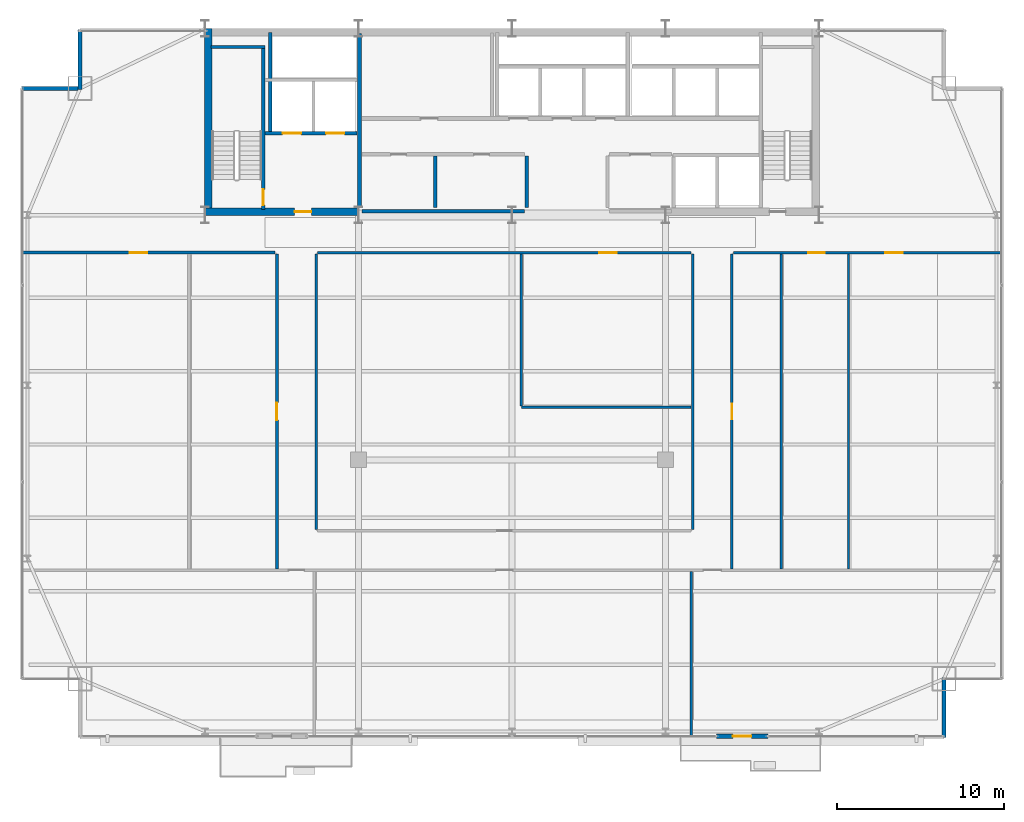
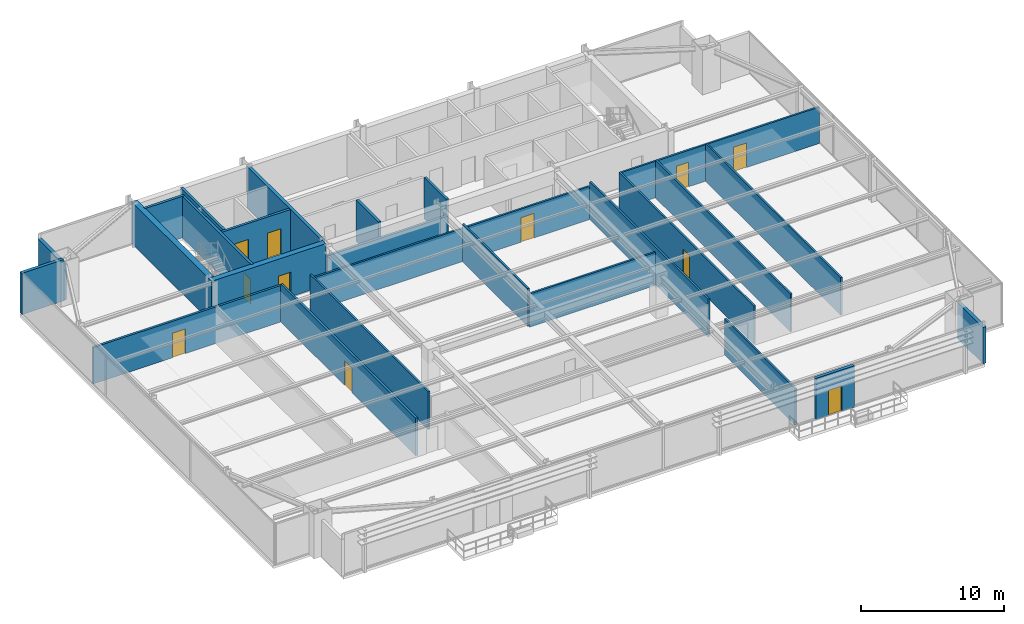
# One storey, part 28 of 32: 26 walls, 11 doors, 11 openings.
"""IFC4 building model written with IfcOpenShell, lengths in metres."""

from ifc_helpers import new_model, si_unit, direction, frame, frame_2d, origin, place, context, subcontext, project, spatial, rectangle, extrude, source, transform, mapped, material, layer, layer_set, type_object, type_shapes, element, fill, save


model = new_model("IFC4")

# Units and contexts
model_context = context("Model", 3, precision=1e-05, world=origin(), true_north=direction((0.0, 1.0)))
body_context = subcontext(model_context, "Body", "Model", "MODEL_VIEW")
ifc_project = project(units=[si_unit("LENGTHUNIT", "METRE"), si_unit("AREAUNIT", "SQUARE_METRE"), si_unit("VOLUMEUNIT", "CUBIC_METRE"), si_unit("PLANEANGLEUNIT", "RADIAN"), si_unit("MASSUNIT", "GRAM", prefix="KILO")], contexts=[model_context])

# Site, building, storey
site_placement = place(None, origin())
site = spatial("IfcSite", under=ifc_project, at=site_placement, CompositionType="ELEMENT")
building_placement = place(site_placement, origin())
building = spatial("IfcBuilding", under=site, at=building_placement, Name="Varnel Quay Broadcast Tower", CompositionType="ELEMENT")
storey_placement = place(building_placement, frame((0.0, 0.0, 133.39990234375)))
storey = spatial("IfcBuildingStorey", under=building, at=storey_placement, Name="L32", CompositionType="ELEMENT", Elevation=133.39990234375)

# Wall, opening, door
ifc_material_1 = material(Name="Concrete CSA A23.3 C50/60", Category="concrete")
ifc_layer_1 = layer(ifc_material_1, 0.199951171875, Name="Concrete CSA A23.3 C50/60")
ifc_layer_set_1 = layer_set([ifc_layer_1], Name="Concrete CSA A23.3 C50/60")
wall_type_1 = type_object("IfcWallType", Name="Wall_CoreShaftShear200", PredefinedType="SHEAR", material=ifc_layer_set_1)
wall_1_placement = place(storey_placement, frame((19.080078125, 35.949951171875, 0.0), z_axis=(0.0, 0.0, 1.0), x_axis=(0.0, 1.0, 0.0)))
wall_1 = element("IfcWall", 1, at=wall_1_placement, inside=storey, type_object=wall_type_1, Name="L32 Stair 1 East Structural Wall", PredefinedType="SHEAR", context=body_context, shape_type="SweptSolid", body=[
    extrude(rectangle(XDim=9.650146484375, YDim=0.199951171875, at=frame_2d((4.8251953125, 0.0))), origin(), (0.0, 0.0, 1.0), 3.550048828125),
])
opening_1_placement = place(wall_1_placement, frame((0.25, 0.0, 0.0)))
opening_1 = element("IfcOpeningElement", 2, at=opening_1_placement, cuts=wall_1, Name="Opening D-L32-S1", PredefinedType="OPENING", context=body_context, shape_type="SweptSolid", body=[
    extrude(rectangle(XDim=0.949951171875, YDim=2.10009765625, at=frame_2d((0.47509765625, 1.050048828125))), frame((0.0, 0.10986328125, 0.0), z_axis=(0.0, -1.0, 0.0), x_axis=(1.0, 0.0, 0.0)), (0.0, 0.0, 1.0), 0.219970703125),
])
ifc_material_2 = material(Name="Insulated Fire-Rated Hollow Steel Door", Category="steel")
door_type_1 = type_object("IfcDoorType", Name="Door_FireStair950", OperationType="NOTDEFINED", PredefinedType="DOOR", material=ifc_material_2)
shared_shape_1 = source(origin(), body_context, "Body", "SweptSolid", [
    extrude(rectangle(XDim=0.949951171875, YDim=2.10009765625, at=frame_2d((0.47509765625, 1.050048828125))), frame((0.0, 0.02490234375, 0.0), z_axis=(0.0, -1.0, 0.0), x_axis=(1.0, 0.0, 0.0)), (0.0, 0.0, 1.0), 0.050048828125),
])
type_shapes(door_type_1, [shared_shape_1])
door_1_placement = place(opening_1_placement, origin())
door_1 = element("IfcDoor", 3, at=door_1_placement, inside=storey, type_object=door_type_1, Name="L32 Stair 1 Fire Door", OperationType="SINGLE_SWING_LEFT", OverallHeight=2.10009765625, OverallWidth=0.949951171875, PredefinedType="DOOR", context=body_context, shape_type="MappedRepresentation", body=[
    mapped(shared_shape_1, transform((0.0, 0.0, 0.0), x_axis=(1.0, 0.0, 0.0), y_axis=(0.0, 1.0, 0.0), z_axis=(0.0, 0.0, 1.0), scale=1.0)),
])
fill(opening_1, door_1)

# Wall
wall_2_placement = place(storey_placement, frame((15.949951171875, 45.679931640625, 0.0), z_axis=(0.0, 0.0, 1.0), x_axis=(1.0, 0.0, 0.0)))
element("IfcWall", 4, at=wall_2_placement, inside=storey, type_object=wall_type_1, Name="L32 Stair 1 North Structural Wall", PredefinedType="SHEAR", context=body_context, shape_type="SweptSolid", body=[
    extrude(rectangle(XDim=3.22998046875, YDim=0.199951171875, at=frame_2d((1.614990234375, 0.0))), origin(), (0.0, 0.0, 1.0), 3.550048828125),
])

# Wall, openings, doors
wall_3_placement = place(storey_placement, frame((19.199951171875, 40.5, 0.0), z_axis=(0.0, 0.0, 1.0), x_axis=(1.0, 0.0, 0.0)))
wall_3 = element("IfcWall", 5, at=wall_3_placement, inside=storey, type_object=wall_type_1, Name="L32 Firefighter Lift Shaft Front Wall", PredefinedType="SHEAR", context=body_context, shape_type="SweptSolid", body=[
    extrude(rectangle(XDim=5.52001953125, YDim=0.199951171875, at=frame_2d((2.760009765625, 0.0))), origin(), (0.0, 0.0, 1.0), 3.550048828125),
])
opening_2_placement = place(wall_3_placement, frame((1.050048828125, 0.0, 0.0)))
opening_2 = element("IfcOpeningElement", 6, at=opening_2_placement, cuts=wall_3, Name="Opening LD-L32-FE1", PredefinedType="OPENING", context=body_context, shape_type="SweptSolid", body=[
    extrude(rectangle(XDim=1.10009765625, YDim=2.179931640625, at=frame_2d((0.550048828125, 1.08984375))), frame((0.0, 0.10986328125, 0.0), z_axis=(0.0, -1.0, 0.0), x_axis=(1.0, 0.0, 0.0)), (0.0, 0.0, 1.0), 0.219970703125),
])
opening_3_placement = place(wall_3_placement, frame((3.64990234375, 0.0, 0.0)))
opening_3 = element("IfcOpeningElement", 7, at=opening_3_placement, cuts=wall_3, Name="Opening LD-L32-FE2", PredefinedType="OPENING", context=body_context, shape_type="SweptSolid", body=[
    extrude(rectangle(XDim=1.10009765625, YDim=2.179931640625, at=frame_2d((0.550048828125, 1.08984375))), frame((0.0, 0.10986328125, 0.0), z_axis=(0.0, -1.0, 0.0), x_axis=(1.0, 0.0, 0.0)), (0.0, 0.0, 1.0), 0.219970703125),
])
ifc_material_3 = material(Name="Brushed Bronze-Stainless Lift Car & Sliding Doors", Category="steel")
door_type_2 = type_object("IfcDoorType", Name="Door_LiftLanding1100", OperationType="SLIDING_TO_LEFT", PredefinedType="DOOR", material=ifc_material_3)
shared_shape_2 = source(origin(), body_context, "Body", "SweptSolid", [
    extrude(rectangle(XDim=1.10009765625, YDim=2.179931640625, at=frame_2d((0.550048828125, 1.08984375))), frame((0.0, 0.02490234375, 0.0), z_axis=(0.0, -1.0, 0.0), x_axis=(1.0, 0.0, 0.0)), (0.0, 0.0, 1.0), 0.050048828125),
])
type_shapes(door_type_2, [shared_shape_2])
door_2_placement = place(opening_2_placement, frame((1.10009765625, 0.0, 0.0), z_axis=(0.0, 0.0, 1.0), x_axis=(-1.0, 0.0, 0.0)))
door_2 = element("IfcDoor", 8, at=door_2_placement, inside=storey, type_object=door_type_2, Name="L32 Firefighter Lift FE-01 Landing Door", OperationType="SLIDING_TO_LEFT", OverallHeight=2.179931640625, OverallWidth=1.10009765625, PredefinedType="DOOR", context=body_context, shape_type="MappedRepresentation", body=[
    mapped(shared_shape_2, transform((0.0, 0.0, 0.0), x_axis=(1.0, 0.0, 0.0), y_axis=(0.0, 1.0, 0.0), z_axis=(0.0, 0.0, 1.0), scale=1.0)),
])
fill(opening_2, door_2)
door_3_placement = place(opening_3_placement, frame((1.10009765625, 0.0, 0.0), z_axis=(0.0, 0.0, 1.0), x_axis=(-1.0, 0.0, 0.0)))
door_3 = element("IfcDoor", 9, at=door_3_placement, inside=storey, type_object=door_type_2, Name="L32 Firefighter Lift FE-02 Landing Door", OperationType="SLIDING_TO_RIGHT", OverallHeight=2.179931640625, OverallWidth=1.10009765625, PredefinedType="DOOR", context=body_context, shape_type="MappedRepresentation", body=[
    mapped(shared_shape_2, transform((0.0, 0.0, 0.0), x_axis=(1.0, 0.0, 0.0), y_axis=(0.0, 1.0, 0.0), z_axis=(0.0, 0.0, 1.0), scale=1.0)),
])
fill(opening_3, door_3)

# Walls
wall_4_placement = place(storey_placement, frame((19.5, 40.60009765625, 0.0), z_axis=(0.0, 0.0, 1.0), x_axis=(0.0, 1.0, 0.0)))
element("IfcWall", 10, at=wall_4_placement, inside=storey, type_object=wall_type_1, Name="L32 Firefighter Lift Shaft West Wall", PredefinedType="SHEAR", context=body_context, shape_type="SweptSolid", body=[
    extrude(rectangle(XDim=5.949951171875, YDim=0.199951171875, at=frame_2d((2.97509765625, 0.0))), origin(), (0.0, 0.0, 1.0), 3.550048828125),
])
ifc_layer_2 = layer(ifc_material_1, 0.25, Name="Concrete CSA A23.3 C50/60")
ifc_layer_set_2 = layer_set([ifc_layer_2], Name="Concrete CSA A23.3 C50/60")
wall_type_2 = type_object("IfcWallType", Name="Wall_CoreShaftShear250", PredefinedType="SHEAR", material=ifc_layer_set_2)
wall_5_placement = place(storey_placement, frame((24.85009765625, 36.050048828125, 0.0), z_axis=(0.0, 0.0, 1.0), x_axis=(0.0, 1.0, 0.0)))
element("IfcWall", 11, at=wall_5_placement, inside=storey, type_object=wall_type_2, Name="L32 Firefighting Lobby East Structural Wall", PredefinedType="SHEAR", context=body_context, shape_type="SweptSolid", body=[
    extrude(rectangle(XDim=10.449951171875, YDim=0.25, at=frame_2d((5.22509765625, 0.0))), origin(), (0.0, 0.0, 1.0), 3.550048828125),
])
ifc_material_4 = material(Name="Concrete CSA A23.3 C60/75", Category="concrete")
ifc_layer_3 = layer(ifc_material_4, 0.449951171875, Name="Concrete CSA A23.3 C60/75")
ifc_layer_set_3 = layer_set([ifc_layer_3], Name="Concrete CSA A23.3 C60/75")
wall_type_3 = type_object("IfcWallType", Name="Wall_CoreShearInt450", PredefinedType="SHEAR", material=ifc_layer_set_3)
wall_6_placement = place(storey_placement, frame((15.794921875, 35.570068359375, 0.0), z_axis=(0.0, 0.0, 1.0), x_axis=(0.0, 1.0, 0.0)))
element("IfcWall", 12, at=wall_6_placement, inside=storey, type_object=wall_type_3, Name="L32 West Core Shear Wall", PredefinedType="SHEAR", context=body_context, shape_type="SweptSolid", body=[
    extrude(rectangle(XDim=11.22998046875, YDim=0.449951171875, at=frame_2d((5.614990234375, 0.0))), origin(), (0.0, 0.0, 1.0), 3.550048828125),
])

# Wall, opening, door
wall_7_placement = place(storey_placement, frame((15.570068359375, 35.794921875, 0.0), z_axis=(0.0, 0.0, 1.0), x_axis=(1.0, 0.0, 0.0)))
wall_7 = element("IfcWall", 13, at=wall_7_placement, inside=storey, type_object=wall_type_3, Name="L32 South-West Core Shear Wall", PredefinedType="SHEAR", context=body_context, shape_type="SweptSolid", body=[
    extrude(rectangle(XDim=9.22998046875, YDim=0.449951171875, at=frame_2d((4.614990234375, 0.0))), origin(), (0.0, 0.0, 1.0), 3.550048828125),
])
opening_4_placement = place(wall_7_placement, frame((5.39990234375, 0.0, 0.0)))
opening_4 = element("IfcOpeningElement", 14, at=opening_4_placement, cuts=wall_7, Name="Opening D-L32-FFL", PredefinedType="OPENING", context=body_context, shape_type="SweptSolid", body=[
    extrude(rectangle(XDim=1.0, YDim=2.10009765625, at=frame_2d((0.5, 1.050048828125))), frame((0.0, 0.23486328125, 0.0), z_axis=(0.0, -1.0, 0.0), x_axis=(1.0, 0.0, 0.0)), (0.0, 0.0, 1.0), 0.469970703125),
])
door_type_3 = type_object("IfcDoorType", Name="Door_FireLobby1000", OperationType="NOTDEFINED", PredefinedType="DOOR", material=ifc_material_2)
shared_shape_3 = source(origin(), body_context, "Body", "SweptSolid", [
    extrude(rectangle(XDim=1.0, YDim=2.10009765625, at=frame_2d((0.5, 1.050048828125))), frame((0.0, 0.02490234375, 0.0), z_axis=(0.0, -1.0, 0.0), x_axis=(1.0, 0.0, 0.0)), (0.0, 0.0, 1.0), 0.050048828125),
])
type_shapes(door_type_3, [shared_shape_3])
door_4_placement = place(opening_4_placement, origin())
door_4 = element("IfcDoor", 15, at=door_4_placement, inside=storey, type_object=door_type_3, Name="L32 Firefighting Lobby Door", OperationType="SINGLE_SWING_RIGHT", OverallHeight=2.10009765625, OverallWidth=1.0, PredefinedType="DOOR", context=body_context, shape_type="MappedRepresentation", body=[
    mapped(shared_shape_3, transform((0.0, 0.0, 0.0), x_axis=(1.0, 0.0, 0.0), y_axis=(0.0, 1.0, 0.0), z_axis=(0.0, 0.0, 1.0), scale=1.0)),
])
fill(opening_4, door_4)

ifc_material_5 = material(Name="Precast Architectural Concrete C40/50", Category="concrete")
ifc_layer_4 = layer(ifc_material_5, 0.25, Name="Precast Architectural Concrete C40/50")
ifc_layer_set_4 = layer_set([ifc_layer_4], Name="Precast Architectural Concrete C40/50")
wall_type_4 = type_object("IfcWallType", Name="Wall_ExtTerrace250", PredefinedType="SOLIDWALL", material=ifc_layer_set_4)
wall_8_placement = place(storey_placement, frame((46.25, 4.35009765625, 0.0), z_axis=(0.0, 0.0, 1.0), x_axis=(1.0, 0.0, 0.0)))
wall_8 = element("IfcWall", 16, at=wall_8_placement, inside=storey, type_object=wall_type_4, Name="L32 Terrace Access Wall 2", PredefinedType="SOLIDWALL", context=body_context, shape_type="SweptSolid", body=[
    extrude(rectangle(XDim=3.10009765625, YDim=0.25, at=frame_2d((1.550048828125, 0.0))), origin(), (0.0, 0.0, 1.0), 3.530029296875),
])
opening_5_placement = place(wall_8_placement, frame((1.0, 0.0, 0.0)))
opening_5 = element("IfcOpeningElement", 17, at=opening_5_placement, cuts=wall_8, Name="Opening TD-322", PredefinedType="OPENING", context=body_context, shape_type="SweptSolid", body=[
    extrude(rectangle(XDim=1.10009765625, YDim=2.14990234375, at=frame_2d((0.550048828125, 1.074951171875))), frame((0.0, 0.135009765625, 0.0), z_axis=(0.0, -1.0, 0.0), x_axis=(1.0, 0.0, 0.0)), (0.0, 0.0, 1.0), 0.27001953125),
])
ifc_material_6 = material(Name="Anodised Bronze Aluminium 6063-T6", Category="aluminium")
door_type_4 = type_object("IfcDoorType", Name="Door_ExtTerrace1100", OperationType="NOTDEFINED", PredefinedType="DOOR", material=ifc_material_6)
shared_shape_4 = source(origin(), body_context, "Body", "SweptSolid", [
    extrude(rectangle(XDim=1.10009765625, YDim=2.14990234375, at=frame_2d((0.550048828125, 1.074951171875))), frame((0.0, 0.02490234375, 0.0), z_axis=(0.0, -1.0, 0.0), x_axis=(1.0, 0.0, 0.0)), (0.0, 0.0, 1.0), 0.050048828125),
])
type_shapes(door_type_4, [shared_shape_4])
door_5_placement = place(opening_5_placement, frame((1.10009765625, 0.0, 0.0), z_axis=(0.0, 0.0, 1.0), x_axis=(-1.0, 0.0, 0.0)))
door_5 = element("IfcDoor", 18, at=door_5_placement, inside=storey, type_object=door_type_4, Name="L32 Terrace Door TD-322", OperationType="SINGLE_SWING_RIGHT", OverallHeight=2.14990234375, OverallWidth=1.10009765625, PredefinedType="DOOR", context=body_context, shape_type="MappedRepresentation", body=[
    mapped(shared_shape_4, transform((0.0, 0.0, 0.0), x_axis=(1.0, 0.0, 0.0), y_axis=(0.0, 1.0, 0.0), z_axis=(0.0, 0.0, 1.0), scale=1.0)),
])
fill(opening_5, door_5)

# Walls
wall_9_placement = place(storey_placement, frame((59.89990234375, 4.280029296875, 0.0), z_axis=(0.0, 0.0, 1.0), x_axis=(0.0, 1.0, 0.0)))
element("IfcWall", 19, at=wall_9_placement, inside=storey, type_object=wall_type_4, Name="L32 Mega-Column Notch Cladding Wall NSE2", PredefinedType="SOLIDWALL", context=body_context, shape_type="SweptSolid", body=[
    extrude(rectangle(XDim=3.599853515625, YDim=0.25, at=frame_2d((1.7998046875, 0.0))), origin(), (0.0, 0.0, 1.0), 3.108154296875),
])
wall_10_placement = place(storey_placement, frame((4.580078125, 43.199951171875, 0.0), z_axis=(0.0, 0.0, 1.0), x_axis=(1.0, 0.0, 0.0)))
element("IfcWall", 20, at=wall_10_placement, inside=storey, type_object=wall_type_4, Name="L32 Mega-Column Notch Cladding Wall NNW1", PredefinedType="SOLIDWALL", context=body_context, shape_type="SweptSolid", body=[
    extrude(rectangle(XDim=3.389892578125, YDim=0.25, at=frame_2d((1.69482421875, 0.0))), origin(), (0.0, 0.0, 1.0), 3.530029296875),
])
wall_11_placement = place(storey_placement, frame((8.10009765625, 43.1201171875, 0.0), z_axis=(0.0, 0.0, 1.0), x_axis=(0.0, 1.0, 0.0)))
element("IfcWall", 21, at=wall_11_placement, inside=storey, type_object=wall_type_4, Name="L32 Mega-Column Notch Cladding Wall NNW2", PredefinedType="SOLIDWALL", context=body_context, shape_type="SweptSolid", body=[
    extrude(rectangle(XDim=3.599853515625, YDim=0.25, at=frame_2d((1.7998046875, 0.0))), origin(), (0.0, 0.0, 1.0), 3.108154296875),
])
ifc_material_7 = material(Name="Steel-Stud Fire-Rated Acoustic Gypsum Partition Assembly", Category="steel")
ifc_layer_5 = layer(ifc_material_7, 0.139892578125, Name="Steel-Stud Fire-Rated Acoustic Gypsum Partition Assembly")
ifc_layer_set_5 = layer_set([ifc_layer_5], Name="Steel-Stud Fire-Rated Acoustic Gypsum Partition Assembly")
wall_type_5 = type_object("IfcWallType", Name="Wall_Partition140", PredefinedType="PARTITIONING", material=ifc_layer_set_5)
wall_12_placement = place(storey_placement, frame((44.739990234375, 4.3798828125, 0.0), z_axis=(0.0, 0.0, 1.0), x_axis=(0.0, 1.0, 0.0)))
element("IfcWall", 22, at=wall_12_placement, inside=storey, type_object=wall_type_5, Name="L32 Reading Lounge 2 Partition 10", PredefinedType="PARTITIONING", context=body_context, shape_type="SweptSolid", body=[
    extrude(rectangle(XDim=9.865234375, YDim=0.139892578125, at=frame_2d((4.9326171875, 0.0))), origin(), (0.0, 0.0, 1.0), 3.108154296875),
])
wall_13_placement = place(storey_placement, frame((54.179931640625, 14.39501953125, 0.0), z_axis=(0.0, 0.0, 1.0), x_axis=(0.0, 1.0, 0.0)))
element("IfcWall", 23, at=wall_13_placement, inside=storey, type_object=wall_type_5, Name="L32 Reading Lounge 9 Partition 23", PredefinedType="PARTITIONING", context=body_context, shape_type="SweptSolid", body=[
    extrude(rectangle(XDim=18.8798828125, YDim=0.139892578125, at=frame_2d((9.43994140625, 0.0))), origin(), (0.0, 0.0, 1.0), 3.22216796875),
])
ifc_layer_6 = layer(ifc_material_7, 0.14990234375, Name="Steel-Stud Fire-Rated Acoustic Gypsum Partition Assembly")
ifc_layer_set_6 = layer_set([ifc_layer_6], Name="Steel-Stud Fire-Rated Acoustic Gypsum Partition Assembly")
wall_type_6 = type_object("IfcWallType", Name="Wall_Partition150", PredefinedType="PARTITIONING", material=ifc_layer_set_6)
wall_14_placement = place(storey_placement, frame((44.840087890625, 16.7451171875, 0.0), z_axis=(0.0, 0.0, 1.0), x_axis=(0.0, 1.0, 0.0)))
element("IfcWall", 24, at=wall_14_placement, inside=storey, type_object=wall_type_6, Name="L32 Catering Kitchen 6 Partition 15", PredefinedType="PARTITIONING", context=body_context, shape_type="SweptSolid", body=[
    extrude(rectangle(XDim=16.52978515625, YDim=0.14990234375, at=frame_2d((8.264892578125, 0.0))), origin(), (0.0, 0.0, 1.0), 3.22216796875),
])
wall_15_placement = place(storey_placement, frame((34.56005859375, 24.090087890625, 0.0), z_axis=(0.0, 0.0, 1.0), x_axis=(1.0, 0.0, 0.0)))
element("IfcWall", 25, at=wall_15_placement, inside=storey, type_object=wall_type_6, Name="L32 Catering Kitchen 6 Partition 16", PredefinedType="PARTITIONING", context=body_context, shape_type="SweptSolid", body=[
    extrude(rectangle(XDim=10.179931640625, YDim=0.14990234375, at=frame_2d((5.08984375, 0.0))), origin(), (0.0, 0.0, 1.0), 2.830078125),
])
wall_16_placement = place(storey_placement, frame((34.56005859375, 24.1650390625, 0.0), z_axis=(0.0, 0.0, 1.0), x_axis=(0.0, 1.0, 0.0)))
element("IfcWall", 26, at=wall_16_placement, inside=storey, type_object=wall_type_6, Name="L32 Catering Kitchen 6 Partition 17", PredefinedType="PARTITIONING", context=body_context, shape_type="SweptSolid", body=[
    extrude(rectangle(XDim=9.10986328125, YDim=0.14990234375, at=frame_2d((4.554931640625, 0.0))), origin(), (0.0, 0.0, 1.0), 3.22216796875),
])

# Wall, opening, door
wall_17_placement = place(storey_placement, frame((22.35009765625, 33.35009765625, 0.0), z_axis=(0.0, 0.0, 1.0), x_axis=(1.0, 0.0, 0.0)))
wall_17 = element("IfcWall", 27, at=wall_17_placement, inside=storey, type_object=wall_type_6, Name="L32 Catering Kitchen 6 Partition 18", PredefinedType="PARTITIONING", context=body_context, shape_type="SweptSolid", body=[
    extrude(rectangle(XDim=22.389892578125, YDim=0.14990234375, at=frame_2d((11.19482421875, 0.0))), origin(), (0.0, 0.0, 1.0), 2.830078125),
])
opening_6_placement = place(wall_17_placement, frame((16.875, 0.0, 0.0)))
opening_6 = element("IfcOpeningElement", 28, at=opening_6_placement, cuts=wall_17, Name="Opening D-L32-10", PredefinedType="OPENING", context=body_context, shape_type="SweptSolid", body=[
    extrude(rectangle(XDim=1.050048828125, YDim=2.10009765625, at=frame_2d((0.52490234375, 1.050048828125))), frame((0.0, 0.0849609375, 0.0), z_axis=(0.0, -1.0, 0.0), x_axis=(1.0, 0.0, 0.0)), (0.0, 0.0, 1.0), 0.169921875),
])
ifc_material_8 = material(Name="Solid-Core Fire-Rated Acoustic Oak Veneer Door", Category="wood")
door_type_5 = type_object("IfcDoorType", Name="Door_Meeting1050", OperationType="NOTDEFINED", PredefinedType="DOOR", material=ifc_material_8)
shared_shape_5 = source(origin(), body_context, "Body", "SweptSolid", [
    extrude(rectangle(XDim=1.050048828125, YDim=2.10009765625, at=frame_2d((0.52490234375, 1.050048828125))), frame((0.0, 0.02490234375, 0.0), z_axis=(0.0, -1.0, 0.0), x_axis=(1.0, 0.0, 0.0)), (0.0, 0.0, 1.0), 0.050048828125),
])
type_shapes(door_type_5, [shared_shape_5])
door_6_placement = place(opening_6_placement, frame((1.050048828125, 0.0, 0.0), z_axis=(0.0, 0.0, 1.0), x_axis=(-1.0, 0.0, 0.0)))
door_6 = element("IfcDoor", 29, at=door_6_placement, inside=storey, type_object=door_type_5, Name="L32 Press Briefing Room 7 Door D-L32-10", OperationType="SINGLE_SWING_RIGHT", OverallHeight=2.10009765625, OverallWidth=1.050048828125, PredefinedType="DOOR", context=body_context, shape_type="MappedRepresentation", body=[
    mapped(shared_shape_5, transform((0.0, 0.0, 0.0), x_axis=(1.0, 0.0, 0.0), y_axis=(0.0, 1.0, 0.0), z_axis=(0.0, 0.0, 1.0), scale=1.0)),
])
fill(opening_6, door_6)

# Walls
wall_18_placement = place(storey_placement, frame((22.25, 16.7451171875, 0.0), z_axis=(0.0, 0.0, 1.0), x_axis=(0.0, 1.0, 0.0)))
element("IfcWall", 30, at=wall_18_placement, inside=storey, type_object=wall_type_6, Name="L32 Catering Kitchen 6 Partition 19", PredefinedType="PARTITIONING", context=body_context, shape_type="SweptSolid", body=[
    extrude(rectangle(XDim=16.52978515625, YDim=0.14990234375, at=frame_2d((8.264892578125, 0.0))), origin(), (0.0, 0.0, 1.0), 3.22216796875),
])
wall_19_placement = place(storey_placement, frame((50.1298828125, 14.39501953125, 0.0), z_axis=(0.0, 0.0, 1.0), x_axis=(0.0, 1.0, 0.0)))
element("IfcWall", 31, at=wall_19_placement, inside=storey, type_object=wall_type_6, Name="L32 Bureau Office 8 Partition 20", PredefinedType="PARTITIONING", context=body_context, shape_type="SweptSolid", body=[
    extrude(rectangle(XDim=18.8798828125, YDim=0.14990234375, at=frame_2d((9.43994140625, 0.0))), origin(), (0.0, 0.0, 1.0), 3.22216796875),
])

# Wall, openings, doors
wall_20_placement = place(storey_placement, frame((47.2900390625, 33.35009765625, 0.0), z_axis=(0.0, 0.0, 1.0), x_axis=(1.0, 0.0, 0.0)))
wall_20 = element("IfcWall", 32, at=wall_20_placement, inside=storey, type_object=wall_type_6, Name="L32 Bureau Office 8 Partition 21", PredefinedType="PARTITIONING", context=body_context, shape_type="SweptSolid", body=[
    extrude(rectangle(XDim=16.030029296875, YDim=0.14990234375, at=frame_2d((8.01513671875, 0.0))), origin(), (0.0, 0.0, 1.0), 3.108154296875),
])
opening_7_placement = place(wall_20_placement, frame((4.465087890625, 0.0, 0.0)))
opening_7 = element("IfcOpeningElement", 33, at=opening_7_placement, cuts=wall_20, Name="Opening D-L32-12", PredefinedType="OPENING", context=body_context, shape_type="SweptSolid", body=[
    extrude(rectangle(XDim=1.0, YDim=2.10009765625, at=frame_2d((0.5, 1.050048828125))), frame((0.0, 0.0849609375, 0.0), z_axis=(0.0, -1.0, 0.0), x_axis=(1.0, 0.0, 0.0)), (0.0, 0.0, 1.0), 0.169921875),
])
opening_8_placement = place(wall_20_placement, frame((9.10009765625, 0.0, 0.0)))
opening_8 = element("IfcOpeningElement", 34, at=opening_8_placement, cuts=wall_20, Name="Opening D-L32-13", PredefinedType="OPENING", context=body_context, shape_type="SweptSolid", body=[
    extrude(rectangle(XDim=1.050048828125, YDim=2.10009765625, at=frame_2d((0.52490234375, 1.050048828125))), frame((0.0, 0.0849609375, 0.0), z_axis=(0.0, -1.0, 0.0), x_axis=(1.0, 0.0, 0.0)), (0.0, 0.0, 1.0), 0.169921875),
])
door_type_6 = type_object("IfcDoorType", Name="Door_Exec1000", OperationType="NOTDEFINED", PredefinedType="DOOR", material=ifc_material_8)
shared_shape_6 = source(origin(), body_context, "Body", "SweptSolid", [
    extrude(rectangle(XDim=1.0, YDim=2.10009765625, at=frame_2d((0.5, 1.050048828125))), frame((0.0, 0.02490234375, 0.0), z_axis=(0.0, -1.0, 0.0), x_axis=(1.0, 0.0, 0.0)), (0.0, 0.0, 1.0), 0.050048828125),
])
type_shapes(door_type_6, [shared_shape_6])
door_7_placement = place(opening_7_placement, frame((1.0, 0.0, 0.0), z_axis=(0.0, 0.0, 1.0), x_axis=(-1.0, 0.0, 0.0)))
door_7 = element("IfcDoor", 35, at=door_7_placement, inside=storey, type_object=door_type_6, Name="L32 Reading Lounge 9 Door D-L32-12", OperationType="SINGLE_SWING_RIGHT", OverallHeight=2.10009765625, OverallWidth=1.0, PredefinedType="DOOR", context=body_context, shape_type="MappedRepresentation", body=[
    mapped(shared_shape_6, transform((0.0, 0.0, 0.0), x_axis=(1.0, 0.0, 0.0), y_axis=(0.0, 1.0, 0.0), z_axis=(0.0, 0.0, 1.0), scale=1.0)),
])
fill(opening_7, door_7)
door_8_placement = place(opening_8_placement, frame((1.050048828125, 0.0, 0.0), z_axis=(0.0, 0.0, 1.0), x_axis=(-1.0, 0.0, 0.0)))
door_8 = element("IfcDoor", 36, at=door_8_placement, inside=storey, type_object=door_type_5, Name="L32 Broadcast Seminar Room 10 Door D-L32-13", OperationType="SINGLE_SWING_LEFT", OverallHeight=2.10009765625, OverallWidth=1.050048828125, PredefinedType="DOOR", context=body_context, shape_type="MappedRepresentation", body=[
    mapped(shared_shape_5, transform((0.0, 0.0, 0.0), x_axis=(1.0, 0.0, 0.0), y_axis=(0.0, 1.0, 0.0), z_axis=(0.0, 0.0, 1.0), scale=1.0)),
])
fill(opening_8, door_8)

# Wall, opening, door
wall_21_placement = place(storey_placement, frame((47.18994140625, 14.39501953125, 0.0), z_axis=(0.0, 0.0, 1.0), x_axis=(0.0, 1.0, 0.0)))
wall_21 = element("IfcWall", 37, at=wall_21_placement, inside=storey, type_object=wall_type_6, Name="L32 Bureau Office 8 Partition 22", PredefinedType="PARTITIONING", context=body_context, shape_type="SweptSolid", body=[
    extrude(rectangle(XDim=18.8798828125, YDim=0.14990234375, at=frame_2d((9.43994140625, 0.0))), origin(), (0.0, 0.0, 1.0), 3.22216796875),
])
opening_9_placement = place(wall_21_placement, frame((8.97998046875, 0.0, 0.0)))
opening_9 = element("IfcOpeningElement", 38, at=opening_9_placement, cuts=wall_21, Name="Opening D-L32-11", PredefinedType="OPENING", context=body_context, shape_type="SweptSolid", body=[
    extrude(rectangle(XDim=0.919921875, YDim=2.080078125, at=frame_2d((0.4599609375, 1.0400390625))), frame((0.0, 0.0849609375, 0.0), z_axis=(0.0, -1.0, 0.0), x_axis=(1.0, 0.0, 0.0)), (0.0, 0.0, 1.0), 0.169921875),
])
door_type_7 = type_object("IfcDoorType", Name="Door_Office920", OperationType="NOTDEFINED", PredefinedType="DOOR", material=ifc_material_8)
shared_shape_7 = source(origin(), body_context, "Body", "SweptSolid", [
    extrude(rectangle(XDim=0.919921875, YDim=2.080078125, at=frame_2d((0.4599609375, 1.0400390625))), frame((0.0, 0.02490234375, 0.0), z_axis=(0.0, -1.0, 0.0), x_axis=(1.0, 0.0, 0.0)), (0.0, 0.0, 1.0), 0.050048828125),
])
type_shapes(door_type_7, [shared_shape_7])
door_9_placement = place(opening_9_placement, frame((0.919921875, 0.0, 0.0), z_axis=(0.0, 0.0, 1.0), x_axis=(-1.0, 0.0, 0.0)))
door_9 = element("IfcDoor", 39, at=door_9_placement, inside=storey, type_object=door_type_7, Name="L32 Bureau Office 8 Door D-L32-11", OperationType="SINGLE_SWING_LEFT", OverallHeight=2.080078125, OverallWidth=0.919921875, PredefinedType="DOOR", context=body_context, shape_type="MappedRepresentation", body=[
    mapped(shared_shape_7, transform((0.0, 0.0, 0.0), x_axis=(1.0, 0.0, 0.0), y_axis=(0.0, 1.0, 0.0), z_axis=(0.0, 0.0, 1.0), scale=1.0)),
])
fill(opening_9, door_9)

ifc_layer_7 = layer(ifc_material_7, 0.175048828125, Name="Steel-Stud Fire-Rated Acoustic Gypsum Partition Assembly")
ifc_layer_set_7 = layer_set([ifc_layer_7], Name="Steel-Stud Fire-Rated Acoustic Gypsum Partition Assembly")
wall_type_7 = type_object("IfcWallType", Name="Wall_Partition175", PredefinedType="PARTITIONING", material=ifc_layer_set_7)
wall_22_placement = place(storey_placement, frame((4.679931640625, 33.35009765625, 0.0), z_axis=(0.0, 0.0, 1.0), x_axis=(1.0, 0.0, 0.0)))
wall_22 = element("IfcWall", 40, at=wall_22_placement, inside=storey, type_object=wall_type_7, Name="L32 Press Briefing Room 4 Partition 12", PredefinedType="PARTITIONING", context=body_context, shape_type="SweptSolid", body=[
    extrude(rectangle(XDim=15.1201171875, YDim=0.175048828125, at=frame_2d((7.56005859375, 0.0))), origin(), (0.0, 0.0, 1.0), 3.108154296875),
])
opening_10_placement = place(wall_22_placement, frame((6.389892578125, 0.0, 0.0)))
opening_10 = element("IfcOpeningElement", 41, at=opening_10_placement, cuts=wall_22, Name="Opening D-L32-07", PredefinedType="OPENING", context=body_context, shape_type="SweptSolid", body=[
    extrude(rectangle(XDim=1.050048828125, YDim=2.10009765625, at=frame_2d((0.52490234375, 1.050048828125))), frame((0.0, 0.09765625, 0.0), z_axis=(0.0, -1.0, 0.0), x_axis=(1.0, 0.0, 0.0)), (0.0, 0.0, 1.0), 0.195068359375),
])
door_10_placement = place(opening_10_placement, frame((1.050048828125, 0.0, 0.0), z_axis=(0.0, 0.0, 1.0), x_axis=(-1.0, 0.0, 0.0)))
door_10 = element("IfcDoor", 42, at=door_10_placement, inside=storey, type_object=door_type_5, Name="L32 Press Briefing Room 4 Door D-L32-07", OperationType="SINGLE_SWING_LEFT", OverallHeight=2.10009765625, OverallWidth=1.050048828125, PredefinedType="DOOR", context=body_context, shape_type="MappedRepresentation", body=[
    mapped(shared_shape_5, transform((0.0, 0.0, 0.0), x_axis=(1.0, 0.0, 0.0), y_axis=(0.0, 1.0, 0.0), z_axis=(0.0, 0.0, 1.0), scale=1.0)),
])
fill(opening_10, door_10)

wall_23_placement = place(storey_placement, frame((19.89990234375, 14.39501953125, 0.0), z_axis=(0.0, 0.0, 1.0), x_axis=(0.0, 1.0, 0.0)))
wall_23 = element("IfcWall", 43, at=wall_23_placement, inside=storey, type_object=wall_type_7, Name="L32 Editorial Huddle Room 5 Partition 13", PredefinedType="PARTITIONING", context=body_context, shape_type="SweptSolid", body=[
    extrude(rectangle(XDim=18.867919921875, YDim=0.175048828125, at=frame_2d((9.43408203125, 0.0))), origin(), (0.0, 0.0, 1.0), 3.22216796875),
])
opening_11_placement = place(wall_23_placement, frame((8.9150390625, 0.0, 0.0)))
opening_11 = element("IfcOpeningElement", 44, at=opening_11_placement, cuts=wall_23, Name="Opening D-L32-08", PredefinedType="OPENING", context=body_context, shape_type="SweptSolid", body=[
    extrude(rectangle(XDim=1.050048828125, YDim=2.10009765625, at=frame_2d((0.52490234375, 1.050048828125))), frame((0.0, 0.09765625, 0.0), z_axis=(0.0, -1.0, 0.0), x_axis=(1.0, 0.0, 0.0)), (0.0, 0.0, 1.0), 0.195068359375),
])
door_11_placement = place(opening_11_placement, origin())
door_11 = element("IfcDoor", 45, at=door_11_placement, inside=storey, type_object=door_type_5, Name="L32 Editorial Huddle Room 5 Door D-L32-08", OperationType="SINGLE_SWING_RIGHT", OverallHeight=2.10009765625, OverallWidth=1.050048828125, PredefinedType="DOOR", context=body_context, shape_type="MappedRepresentation", body=[
    mapped(shared_shape_5, transform((0.0, 0.0, 0.0), x_axis=(1.0, 0.0, 0.0), y_axis=(0.0, 1.0, 0.0), z_axis=(0.0, 0.0, 1.0), scale=1.0)),
])
fill(opening_11, door_11)

# Walls
ifc_material_9 = material(Name="Fire-Rated Moisture-Resistant Plumbing Chase Partition")
ifc_layer_8 = layer(ifc_material_9, 0.199951171875, Name="Fire-Rated Moisture-Resistant Plumbing Chase Partition")
ifc_layer_set_8 = layer_set([ifc_layer_8], Name="Fire-Rated Moisture-Resistant Plumbing Chase Partition")
wall_type_8 = type_object("IfcWallType", Name="Wall_Plumbing200", PredefinedType="PLUMBINGWALL", material=ifc_layer_set_8)
wall_24_placement = place(storey_placement, frame((25.0, 35.824951171875, 0.0), z_axis=(0.0, 0.0, 1.0), x_axis=(1.0, 0.0, 0.0)))
element("IfcWall", 46, at=wall_24_placement, inside=storey, type_object=wall_type_8, Name="L32 Accessible Washroom Partition 1", PredefinedType="PLUMBINGWALL", context=body_context, shape_type="SweptSolid", body=[
    extrude(rectangle(XDim=9.75, YDim=0.199951171875, at=frame_2d((4.875, 0.0))), origin(), (0.0, 0.0, 1.0), 2.3251953125),
])
for number, where, z_axis, x_axis, name in (
    (47, (29.39990234375, 36.050048828125, 0.0), (0.0, 0.0, 1.0), (0.0, 1.0, 0.0), "L32 Accessible Washroom Partition 2"),
    (48, (34.875, 36.050048828125, 0.0), (0.0, 0.0, 1.0), (0.0, 1.0, 0.0), "L32 Staff Washrooms Partition 4"),
):
    element("IfcWall", number, at=place(storey_placement, frame(where, z_axis=z_axis, x_axis=x_axis)), inside=storey, type_object=wall_type_8, Name=name, PredefinedType="PLUMBINGWALL", context=body_context, shape_type="SweptSolid", body=[
        extrude(rectangle(XDim=3.099853515625, YDim=0.199951171875, at=frame_2d((1.5498046875, 0.0))), origin(), (0.0, 0.0, 1.0), 3.530029296875),
    ])

save(model, "model.ifc")
